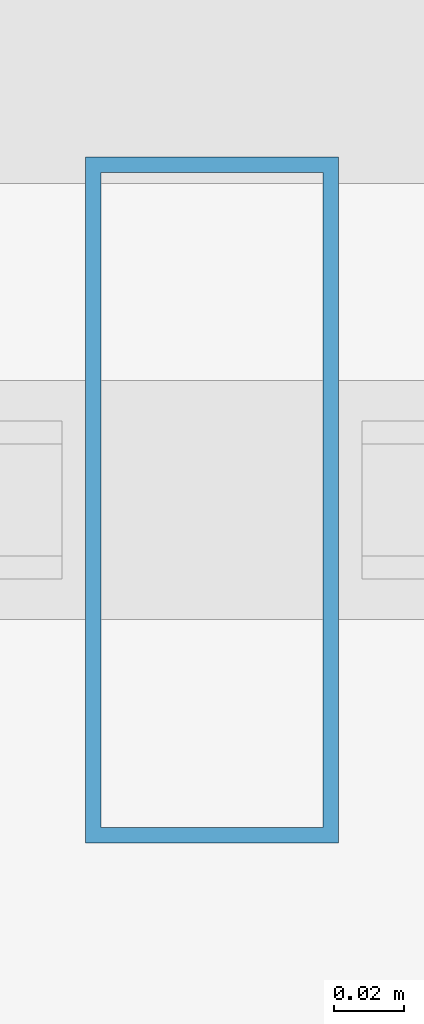
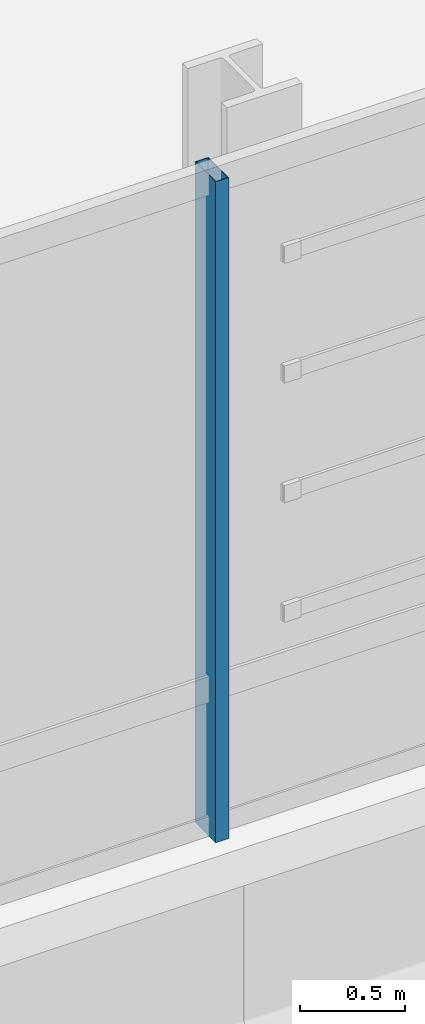
# One storey, part 6 of 36: 1 member, 1 element without a shape of its own.
"""IFC4 building model written with IfcOpenShell, lengths in metres."""

from ifc_helpers import new_model, si_unit, direction, frame, origin, origin_2d, place, context, subcontext, project, spatial, hollow_rectangle, extrude, material, material_profile, profile_set, type_object, element, aggregate, save


model = new_model("IFC4")

# Units and contexts
model_context = context("Model", 3, precision=1e-05, world=origin(), true_north=direction((0.0, 1.0)))
body_context = subcontext(model_context, "Body", "Model", "MODEL_VIEW")
ifc_project = project(units=[si_unit("LENGTHUNIT", "METRE"), si_unit("AREAUNIT", "SQUARE_METRE"), si_unit("VOLUMEUNIT", "CUBIC_METRE"), si_unit("PLANEANGLEUNIT", "RADIAN"), si_unit("MASSUNIT", "GRAM", prefix="KILO")], contexts=[model_context])

# Site, building, storey
site_placement = place(None, origin())
site = spatial("IfcSite", under=ifc_project, at=site_placement, CompositionType="ELEMENT")
building_placement = place(site_placement, origin())
building = spatial("IfcBuilding", under=site, at=building_placement, Name="Punatoya Terracotta Tower", CompositionType="ELEMENT")
storey_placement = place(building_placement, frame((0.0, 0.0, 176.25)))
storey = spatial("IfcBuildingStorey", under=building, at=storey_placement, Name="L41", CompositionType="ELEMENT", Elevation=176.25)

# Curtain wall, member
ifc_material_1 = material(Name="Aluminium 6063-T6 + Double Low-E Glass", Category="aluminium")
curtain_wall_type = type_object("IfcCurtainWallType", Name="CW-M2", PredefinedType="NOTDEFINED", material=ifc_material_1)
curtain_wall_placement = place(storey_placement, origin())
curtain_wall = element("IfcCurtainWall", 1, at=curtain_wall_placement, inside=storey, type_object=curtain_wall_type, Name="L41 Curtain Wall CW-L41-S01-1", PredefinedType="NOTDEFINED")
ifc_material_2 = material(Name="Aluminium 6063-T6", Category="aluminium")
ifc_material_profile = material_profile(ifc_material_2, hollow_rectangle(XDim=0.072021484375, YDim=0.195068359375, WallThickness=0.00439453125, at=origin_2d()))
ifc_profile_set = profile_set([ifc_material_profile], Name="Aluminium 6063-T6")
member_type = type_object("IfcMemberType", Name="CW-MUL-M2", PredefinedType="MULLION", material=ifc_profile_set)
member_placement = place(storey_placement, frame((-4.1669921875, -23.25, 0.0), z_axis=(0.0, 0.0, 1.0), x_axis=(1.0, 0.0, 0.0)))
member = element("IfcMember", 2, at=member_placement, type_object=member_type, Name="CW-L41-S01-1 Mullion 05", PredefinedType="MULLION", context=body_context, shape_type="SweptSolid", body=[
    extrude(hollow_rectangle(XDim=0.072021484375, YDim=0.195068359375, WallThickness=0.00439453125, at=origin_2d()), origin(), (0.0, 0.0, 1.0), 3.830078125),
])
aggregate(curtain_wall, [member])

save(model, "model.ifc")
